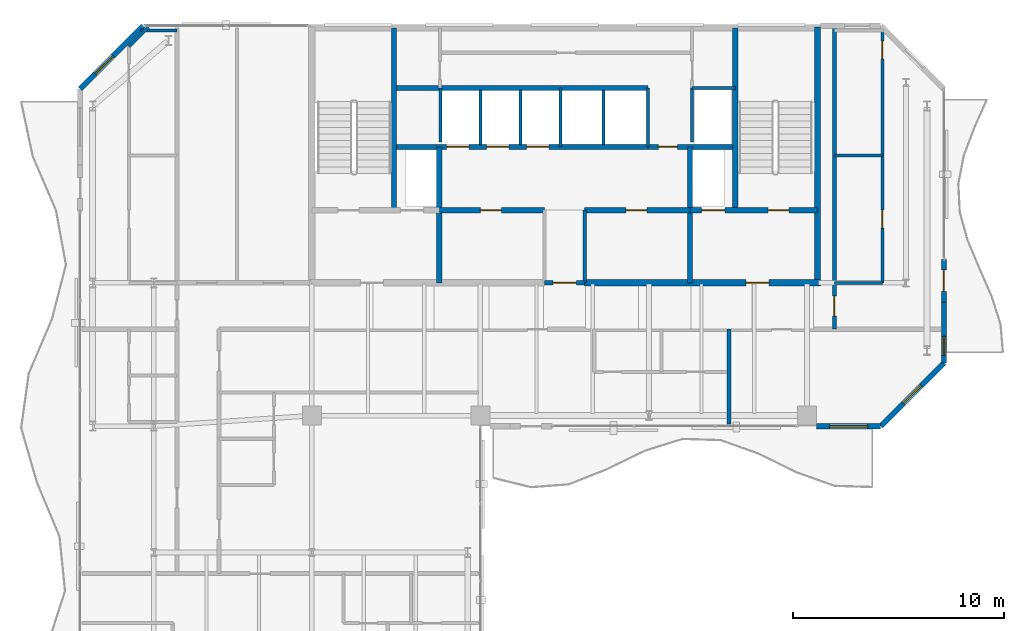
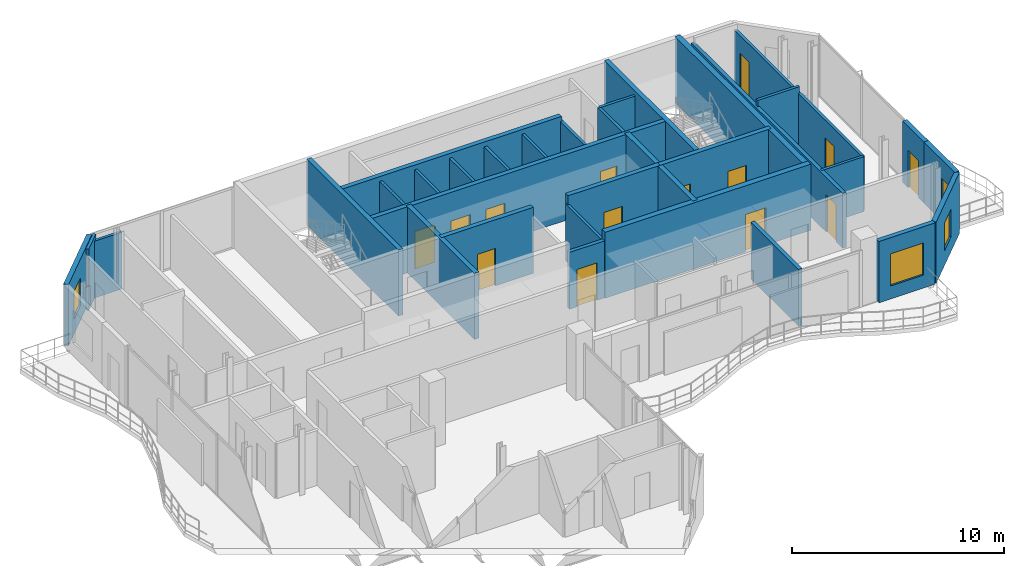
# One storey, part 19 of 23: 33 walls, 14 doors, 4 windows, 18 openings.
"""IFC4 building model written with IfcOpenShell, lengths in metres."""

from ifc_helpers import new_model, si_unit, direction, frame, frame_2d, origin, place, context, subcontext, project, spatial, rectangle, extrude, material, layer, layer_set, type_object, element, fill, save


model = new_model("IFC4")

# Units and contexts
model_context = context("Model", 3, precision=1e-05, world=origin(), true_north=direction((0.0, 1.0)))
body_context = subcontext(model_context, "Body", "Model", "MODEL_VIEW")
ifc_project = project(units=[si_unit("LENGTHUNIT", "METRE"), si_unit("AREAUNIT", "SQUARE_METRE"), si_unit("VOLUMEUNIT", "CUBIC_METRE"), si_unit("PLANEANGLEUNIT", "RADIAN"), si_unit("MASSUNIT", "GRAM", prefix="KILO")], contexts=[model_context])

# Site, building, storey
site_placement = place(None, origin())
site = spatial("IfcSite", under=ifc_project, at=site_placement, CompositionType="ELEMENT")
building_placement = place(site_placement, origin())
building = spatial("IfcBuilding", under=site, at=building_placement, Name="Catumbela Crestline Tower", CompositionType="ELEMENT")
storey_placement = place(building_placement, frame((0.0, 0.0, 241.2)))
storey = spatial("IfcBuildingStorey", under=building, at=storey_placement, Name="L62", CompositionType="ELEMENT", Elevation=241.2)

# Walls
ifc_material_1 = material(Name="Concrete C50/60", Category="concrete")
ifc_layer_1 = layer(ifc_material_1, 0.25, Name="Concrete C50/60")
ifc_layer_set_1 = layer_set([ifc_layer_1], Name="Concrete C50/60")
wall_type_1 = type_object("IfcWallType", Name="CW-250D", PredefinedType="SHEAR", material=ifc_layer_set_1)
for number, where, z_axis, x_axis, name in (
    (1, (19.9, 34.25, 0.0), (0.0, 0.0, 1.0), (0.0, 1.0, 0.0), "L62 Structural Core Shear Wall WWEB"),
    (2, (36.1, 34.25, 0.0), (0.0, 0.0, 1.0), (0.0, 1.0, 0.0), "L62 Structural Core Shear Wall EWEB"),
):
    element("IfcWall", number, at=place(storey_placement, frame(where, z_axis=z_axis, x_axis=x_axis)), inside=storey, type_object=wall_type_1, Name=name, PredefinedType="SHEAR", context=body_context, shape_type="SweptSolid", body=[
        extrude(rectangle(XDim=8.65, YDim=0.25, at=frame_2d((4.325, 0.0))), origin(), (0.0, 0.0, 1.0), 3.8),
    ])
for number, where, z_axis, x_axis, name in (
    (3, (22.05, 30.8, 0.0), (0.0, 0.0, 1.0), (0.0, 1.0, 0.0), "L62 Structural Core Shear Wall FFW"),
    (4, (33.95, 30.8, 0.0), (0.0, 0.0, 1.0), (0.0, 1.0, 0.0), "L62 Structural Core Shear Wall FFE"),
):
    element("IfcWall", number, at=place(storey_placement, frame(where, z_axis=z_axis, x_axis=x_axis)), inside=storey, type_object=wall_type_1, Name=name, PredefinedType="SHEAR", context=body_context, shape_type="SweptSolid", body=[
        extrude(rectangle(XDim=6.45, YDim=0.25, at=frame_2d((3.225, 0.0))), origin(), (0.0, 0.0, 1.0), 3.8),
    ])

# Wall, openings, doors
wall_1_placement = place(storey_placement, frame((33.95, 34.25, 0.0), z_axis=(0.0, 0.0, 1.0), x_axis=(1.0, 0.0, 0.0)))
wall_1 = element("IfcWall", 5, at=wall_1_placement, inside=storey, type_object=wall_type_1, Name="L62 Structural Core Shear Wall ST2S", PredefinedType="SHEAR", context=body_context, shape_type="SweptSolid", body=[
    extrude(rectangle(XDim=6.05, YDim=0.25, at=frame_2d((3.025, 0.0))), origin(), (0.0, 0.0, 1.0), 3.8),
])
opening_1_placement = place(wall_1_placement, frame((3.7, 0.0, 0.0)))
opening_1 = element("IfcOpeningElement", 6, at=opening_1_placement, cuts=wall_1, Name="Opening DF9-100", PredefinedType="OPENING", context=body_context, shape_type="SweptSolid", body=[
    extrude(rectangle(XDim=1.0, YDim=2.15, at=frame_2d((0.5, 1.075))), frame((0.0, 0.135, 0.0), z_axis=(0.0, -1.0, 0.0), x_axis=(1.0, 0.0, 0.0)), (0.0, 0.0, 1.0), 0.27),
])
opening_2_placement = place(wall_1_placement, frame((0.55, 0.0, 0.0)))
opening_2 = element("IfcOpeningElement", 7, at=opening_2_placement, cuts=wall_1, Name="Opening LD-110", PredefinedType="OPENING", context=body_context, shape_type="SweptSolid", body=[
    extrude(rectangle(XDim=1.1, YDim=2.15, at=frame_2d((0.55, 1.075))), frame((0.0, 0.135, 0.0), z_axis=(0.0, -1.0, 0.0), x_axis=(1.0, 0.0, 0.0)), (0.0, 0.0, 1.0), 0.27),
])
ifc_material_2 = material(Name="Stainless steel EN 1.4401", Category="steel")
door_type_1 = type_object("IfcDoorType", Name="DF9-100", OperationType="NOTDEFINED", PredefinedType="DOOR", material=ifc_material_2)
door_1_placement = place(opening_1_placement, origin())
door_1 = element("IfcDoor", 8, at=door_1_placement, inside=storey, type_object=door_type_1, Name="L62 Interior Door DR-L62-ST02", OperationType="SINGLE_SWING_RIGHT", OverallHeight=2.15, OverallWidth=1.0, PredefinedType="DOOR", context=body_context, shape_type="SweptSolid", body=[
    extrude(rectangle(XDim=1.0, YDim=2.15, at=frame_2d((0.5, 1.075))), frame((0.0, 0.025, 0.0), z_axis=(0.0, -1.0, 0.0), x_axis=(1.0, 0.0, 0.0)), (0.0, 0.0, 1.0), 0.05),
])
fill(opening_1, door_1)
door_type_2 = type_object("IfcDoorType", Name="LD-110", OperationType="NOTDEFINED", PredefinedType="DOOR", material=ifc_material_2)
door_2_placement = place(opening_2_placement, origin())
door_2 = element("IfcDoor", 9, at=door_2_placement, inside=storey, type_object=door_type_2, Name="L62 Lift Landing Sliding Door FL-02", OperationType="DOUBLE_DOOR_SLIDING", OverallHeight=2.15, OverallWidth=1.1, PredefinedType="DOOR", context=body_context, shape_type="SweptSolid", body=[
    extrude(rectangle(XDim=1.1, YDim=2.15, at=frame_2d((0.55, 1.075))), frame((0.0, 0.025, 0.0), z_axis=(0.0, -1.0, 0.0), x_axis=(1.0, 0.0, 0.0)), (0.0, 0.0, 1.0), 0.05),
])
fill(opening_2, door_2)

# Wall, opening, door
wall_2_placement = place(storey_placement, frame((22.05, 34.25, 0.0), z_axis=(0.0, 0.0, 1.0), x_axis=(1.0, 0.0, 0.0)))
wall_2 = element("IfcWall", 10, at=wall_2_placement, inside=storey, type_object=wall_type_1, Name="L62 Structural Core Shear Wall LIFTS-W", PredefinedType="SHEAR", context=body_context, shape_type="SweptSolid", body=[
    extrude(rectangle(XDim=5.0, YDim=0.25, at=frame_2d((2.5, 0.0))), origin(), (0.0, 0.0, 1.0), 3.8),
])
opening_3_placement = place(wall_2_placement, frame((1.95, 0.0, 0.0)))
opening_3 = element("IfcOpeningElement", 11, at=opening_3_placement, cuts=wall_2, Name="Opening DF9-100", PredefinedType="OPENING", context=body_context, shape_type="SweptSolid", body=[
    extrude(rectangle(XDim=1.0, YDim=2.15, at=frame_2d((0.5, 1.075))), frame((0.0, 0.135, 0.0), z_axis=(0.0, -1.0, 0.0), x_axis=(1.0, 0.0, 0.0)), (0.0, 0.0, 1.0), 0.27),
])
door_3_placement = place(opening_3_placement, origin())
door_3 = element("IfcDoor", 12, at=door_3_placement, inside=storey, type_object=door_type_1, Name="L62 Interior Door DR-L62-RECL1", OperationType="SINGLE_SWING_LEFT", OverallHeight=2.15, OverallWidth=1.0, PredefinedType="DOOR", context=body_context, shape_type="SweptSolid", body=[
    extrude(rectangle(XDim=1.0, YDim=2.15, at=frame_2d((0.5, 1.075))), frame((0.0, 0.025, 0.0), z_axis=(0.0, -1.0, 0.0), x_axis=(1.0, 0.0, 0.0)), (0.0, 0.0, 1.0), 0.05),
])
fill(opening_3, door_3)

wall_3_placement = place(storey_placement, frame((28.95, 34.25, 0.0), z_axis=(0.0, 0.0, 1.0), x_axis=(1.0, 0.0, 0.0)))
wall_3 = element("IfcWall", 13, at=wall_3_placement, inside=storey, type_object=wall_type_1, Name="L62 Structural Core Shear Wall LIFTS-E", PredefinedType="SHEAR", context=body_context, shape_type="SweptSolid", body=[
    extrude(rectangle(XDim=5.0, YDim=0.25, at=frame_2d((2.5, 0.0))), origin(), (0.0, 0.0, 1.0), 3.8),
])
opening_4_placement = place(wall_3_placement, frame((1.95, 0.0, 0.0)))
opening_4 = element("IfcOpeningElement", 14, at=opening_4_placement, cuts=wall_3, Name="Opening DF9-100", PredefinedType="OPENING", context=body_context, shape_type="SweptSolid", body=[
    extrude(rectangle(XDim=1.0, YDim=2.15, at=frame_2d((0.5, 1.075))), frame((0.0, 0.135, 0.0), z_axis=(0.0, -1.0, 0.0), x_axis=(1.0, 0.0, 0.0)), (0.0, 0.0, 1.0), 0.27),
])
door_4_placement = place(opening_4_placement, origin())
door_4 = element("IfcDoor", 15, at=door_4_placement, inside=storey, type_object=door_type_1, Name="L62 Interior Door DR-L62-RECL2", OperationType="SINGLE_SWING_RIGHT", OverallHeight=2.15, OverallWidth=1.0, PredefinedType="DOOR", context=body_context, shape_type="SweptSolid", body=[
    extrude(rectangle(XDim=1.0, YDim=2.15, at=frame_2d((0.5, 1.075))), frame((0.0, 0.025, 0.0), z_axis=(0.0, -1.0, 0.0), x_axis=(1.0, 0.0, 0.0)), (0.0, 0.0, 1.0), 0.05),
])
fill(opening_4, door_4)

# Wall, openings, doors
wall_4_placement = place(storey_placement, frame((19.9, 37.25, 0.0), z_axis=(0.0, 0.0, 1.0), x_axis=(1.0, 0.0, 0.0)))
wall_4 = element("IfcWall", 16, at=wall_4_placement, inside=storey, type_object=wall_type_1, Name="L62 Structural Core Shear Wall LIFTN", PredefinedType="SHEAR", context=body_context, shape_type="SweptSolid", body=[
    extrude(rectangle(XDim=16.2, YDim=0.25, at=frame_2d((8.1, 0.0))), origin(), (0.0, 0.0, 1.0), 3.8),
])
opening_5_placement = place(wall_4_placement, frame((12.55, 0.0, 0.0)))
opening_5 = element("IfcOpeningElement", 17, at=opening_5_placement, cuts=wall_4, Name="Opening DF9-090", PredefinedType="OPENING", context=body_context, shape_type="SweptSolid", body=[
    extrude(rectangle(XDim=0.9, YDim=2.15, at=frame_2d((0.45, 1.075))), frame((0.0, 0.135, 0.0), z_axis=(0.0, -1.0, 0.0), x_axis=(1.0, 0.0, 0.0)), (0.0, 0.0, 1.0), 0.27),
])
opening_6_placement = place(wall_4_placement, frame((2.5, 0.0, 0.0)))
opening_6 = element("IfcOpeningElement", 18, at=opening_6_placement, cuts=wall_4, Name="Opening LD-105", PredefinedType="OPENING", context=body_context, shape_type="SweptSolid", body=[
    extrude(rectangle(XDim=1.05, YDim=2.15, at=frame_2d((0.525, 1.075))), frame((0.0, 0.135, 0.0), z_axis=(0.0, -1.0, 0.0), x_axis=(1.0, 0.0, 0.0)), (0.0, 0.0, 1.0), 0.27),
])
opening_7_placement = place(wall_4_placement, frame((4.4, 0.0, 0.0)))
opening_7 = element("IfcOpeningElement", 19, at=opening_7_placement, cuts=wall_4, Name="Opening LD-105", PredefinedType="OPENING", context=body_context, shape_type="SweptSolid", body=[
    extrude(rectangle(XDim=1.05, YDim=2.15, at=frame_2d((0.525, 1.075))), frame((0.0, 0.135, 0.0), z_axis=(0.0, -1.0, 0.0), x_axis=(1.0, 0.0, 0.0)), (0.0, 0.0, 1.0), 0.27),
])
opening_8_placement = place(wall_4_placement, frame((6.3, 0.0, 0.0)))
opening_8 = element("IfcOpeningElement", 20, at=opening_8_placement, cuts=wall_4, Name="Opening LD-105", PredefinedType="OPENING", context=body_context, shape_type="SweptSolid", body=[
    extrude(rectangle(XDim=1.05, YDim=2.15, at=frame_2d((0.525, 1.075))), frame((0.0, 0.135, 0.0), z_axis=(0.0, -1.0, 0.0), x_axis=(1.0, 0.0, 0.0)), (0.0, 0.0, 1.0), 0.27),
])
door_type_3 = type_object("IfcDoorType", Name="DF9-090", OperationType="NOTDEFINED", PredefinedType="DOOR", material=ifc_material_2)
door_5_placement = place(opening_5_placement, origin())
door_5 = element("IfcDoor", 21, at=door_5_placement, inside=storey, type_object=door_type_3, Name="L62 Interior Door DR-L62-CPAS1", OperationType="SINGLE_SWING_LEFT", OverallHeight=2.15, OverallWidth=0.9, PredefinedType="DOOR", context=body_context, shape_type="SweptSolid", body=[
    extrude(rectangle(XDim=0.9, YDim=2.15, at=frame_2d((0.45, 1.075))), frame((0.0, 0.025, 0.0), z_axis=(0.0, -1.0, 0.0), x_axis=(1.0, 0.0, 0.0)), (0.0, 0.0, 1.0), 0.05),
])
fill(opening_5, door_5)
door_type_4 = type_object("IfcDoorType", Name="LD-105", OperationType="NOTDEFINED", PredefinedType="DOOR", material=ifc_material_2)
door_6_placement = place(opening_6_placement, origin())
door_6 = element("IfcDoor", 22, at=door_6_placement, inside=storey, type_object=door_type_4, Name="L62 Lift Landing Sliding Door PL-H1", OperationType="DOUBLE_DOOR_SLIDING", OverallHeight=2.15, OverallWidth=1.05, PredefinedType="DOOR", context=body_context, shape_type="SweptSolid", body=[
    extrude(rectangle(XDim=1.05, YDim=2.15, at=frame_2d((0.525, 1.075))), frame((0.0, 0.025, 0.0), z_axis=(0.0, -1.0, 0.0), x_axis=(1.0, 0.0, 0.0)), (0.0, 0.0, 1.0), 0.05),
])
fill(opening_6, door_6)
door_7_placement = place(opening_7_placement, origin())
door_7 = element("IfcDoor", 23, at=door_7_placement, inside=storey, type_object=door_type_4, Name="L62 Lift Landing Sliding Door PL-H2", OperationType="DOUBLE_DOOR_SLIDING", OverallHeight=2.15, OverallWidth=1.05, PredefinedType="DOOR", context=body_context, shape_type="SweptSolid", body=[
    extrude(rectangle(XDim=1.05, YDim=2.15, at=frame_2d((0.525, 1.075))), frame((0.0, 0.025, 0.0), z_axis=(0.0, -1.0, 0.0), x_axis=(1.0, 0.0, 0.0)), (0.0, 0.0, 1.0), 0.05),
])
fill(opening_7, door_7)
door_8_placement = place(opening_8_placement, origin())
door_8 = element("IfcDoor", 24, at=door_8_placement, inside=storey, type_object=door_type_4, Name="L62 Lift Landing Sliding Door PL-H3", OperationType="DOUBLE_DOOR_SLIDING", OverallHeight=2.15, OverallWidth=1.05, PredefinedType="DOOR", context=body_context, shape_type="SweptSolid", body=[
    extrude(rectangle(XDim=1.05, YDim=2.15, at=frame_2d((0.525, 1.075))), frame((0.0, 0.025, 0.0), z_axis=(0.0, -1.0, 0.0), x_axis=(1.0, 0.0, 0.0)), (0.0, 0.0, 1.0), 0.05),
])
fill(opening_8, door_8)

# Walls
wall_5_placement = place(storey_placement, frame((19.9, 40.05, 0.0), z_axis=(0.0, 0.0, 1.0), x_axis=(1.0, 0.0, 0.0)))
element("IfcWall", 25, at=wall_5_placement, inside=storey, type_object=wall_type_1, Name="L62 Structural Core Shear Wall COREN", PredefinedType="SHEAR", context=body_context, shape_type="SweptSolid", body=[
    extrude(rectangle(XDim=12.05, YDim=0.25, at=frame_2d((6.025, 0.0))), origin(), (0.0, 0.0, 1.0), 3.8),
])
ifc_material_3 = material(Name="Concrete C45/55", Category="concrete")
ifc_layer_2 = layer(ifc_material_3, 0.3, Name="Concrete C45/55")
ifc_layer_set_2 = layer_set([ifc_layer_2], Name="Concrete C45/55")
wall_type_2 = type_object("IfcWallType", Name="CW-300C", PredefinedType="SHEAR", material=ifc_layer_set_2)
wall_6_placement = place(storey_placement, frame((40.0, 30.65, 0.0), z_axis=(0.0, 0.0, 1.0), x_axis=(0.0, 1.0, 0.0)))
element("IfcWall", 26, at=wall_6_placement, inside=storey, type_object=wall_type_2, Name="L62 Structural Core Shear Wall E", PredefinedType="SHEAR", context=body_context, shape_type="SweptSolid", body=[
    extrude(rectangle(XDim=12.3, YDim=0.3, at=frame_2d((6.15, 0.0))), origin(), (0.0, 0.0, 1.0), 3.8),
])

# Wall, opening, door
wall_7_placement = place(storey_placement, frame((28.95, 30.8, 0.0), z_axis=(0.0, 0.0, 1.0), x_axis=(1.0, 0.0, 0.0)))
wall_7 = element("IfcWall", 27, at=wall_7_placement, inside=storey, type_object=wall_type_2, Name="L62 Structural Core Shear Wall SE", PredefinedType="SHEAR", context=body_context, shape_type="SweptSolid", body=[
    extrude(rectangle(XDim=11.2, YDim=0.3, at=frame_2d((5.6, 0.0))), origin(), (0.0, 0.0, 1.0), 3.8),
])
opening_9_placement = place(wall_7_placement, frame((7.65, 0.0, 0.0)))
opening_9 = element("IfcOpeningElement", 28, at=opening_9_placement, cuts=wall_7, Name="Opening DF9-110", PredefinedType="OPENING", context=body_context, shape_type="SweptSolid", body=[
    extrude(rectangle(XDim=1.1, YDim=2.15, at=frame_2d((0.55, 1.075))), frame((0.0, 0.16, 0.0), z_axis=(0.0, -1.0, 0.0), x_axis=(1.0, 0.0, 0.0)), (0.0, 0.0, 1.0), 0.32),
])
door_type_5 = type_object("IfcDoorType", Name="DF9-110", OperationType="NOTDEFINED", PredefinedType="DOOR", material=ifc_material_2)
door_9_placement = place(opening_9_placement, origin())
door_9 = element("IfcDoor", 29, at=door_9_placement, inside=storey, type_object=door_type_5, Name="L62 Interior Door DR-L62-FFE-S", OperationType="SINGLE_SWING_RIGHT", OverallHeight=2.15, OverallWidth=1.1, PredefinedType="DOOR", context=body_context, shape_type="SweptSolid", body=[
    extrude(rectangle(XDim=1.1, YDim=2.15, at=frame_2d((0.55, 1.075))), frame((0.0, 0.025, 0.0), z_axis=(0.0, -1.0, 0.0), x_axis=(1.0, 0.0, 0.0)), (0.0, 0.0, 1.0), 0.05),
])
fill(opening_9, door_9)

ifc_material_4 = material(Name="Acoustic gypsum and mineral-wool partition")
ifc_layer_3 = layer(ifc_material_4, 0.2, Name="Acoustic gypsum and mineral-wool partition")
ifc_layer_set_3 = layer_set([ifc_layer_3], Name="Acoustic gypsum and mineral-wool partition")
wall_type_3 = type_object("IfcWallType", Name="WC-200", PredefinedType="PARTITIONING", material=ifc_layer_set_3)
wall_8_placement = place(storey_placement, frame((27.05, 30.8, 0.0), z_axis=(0.0, 0.0, 1.0), x_axis=(1.0, 0.0, 0.0)))
wall_8 = element("IfcWall", 30, at=wall_8_placement, inside=storey, type_object=wall_type_3, Name="L62 Interior Partition PW-L62-CLOBS", PredefinedType="PARTITIONING", context=body_context, shape_type="SweptSolid", body=[
    extrude(rectangle(XDim=1.9, YDim=0.2, at=frame_2d((0.95, 0.0))), origin(), (0.0, 0.0, 1.0), 3.28),
])
opening_10_placement = place(wall_8_placement, frame((0.4, 0.0, 0.0)))
opening_10 = element("IfcOpeningElement", 31, at=opening_10_placement, cuts=wall_8, Name="Opening DF9-110", PredefinedType="OPENING", context=body_context, shape_type="SweptSolid", body=[
    extrude(rectangle(XDim=1.1, YDim=2.15, at=frame_2d((0.55, 1.075))), frame((0.0, 0.11, 0.0), z_axis=(0.0, -1.0, 0.0), x_axis=(1.0, 0.0, 0.0)), (0.0, 0.0, 1.0), 0.22),
])
door_10_placement = place(opening_10_placement, origin())
door_10 = element("IfcDoor", 32, at=door_10_placement, inside=storey, type_object=door_type_5, Name="L62 Interior Door DR-L62-CLOBS", OperationType="SINGLE_SWING_LEFT", OverallHeight=2.15, OverallWidth=1.1, PredefinedType="DOOR", context=body_context, shape_type="SweptSolid", body=[
    extrude(rectangle(XDim=1.1, YDim=2.15, at=frame_2d((0.55, 1.075))), frame((0.0, 0.025, 0.0), z_axis=(0.0, -1.0, 0.0), x_axis=(1.0, 0.0, 0.0)), (0.0, 0.0, 1.0), 0.05),
])
fill(opening_10, door_10)

wall_9_placement = place(storey_placement, frame((40.8, 28.6, 0.0), z_axis=(0.0, 0.0, 1.0), x_axis=(0.0, 1.0, 0.0)))
wall_9 = element("IfcWall", 33, at=wall_9_placement, inside=storey, type_object=wall_type_3, Name="L62 Interior Partition PW-L62-NE1-ENT", PredefinedType="PARTITIONING", context=body_context, shape_type="SweptSolid", body=[
    extrude(rectangle(XDim=14.3, YDim=0.2, at=frame_2d((7.15, 0.0))), origin(), (0.0, 0.0, 1.0), 3.16),
])
opening_11_placement = place(wall_9_placement, frame((0.625, 0.0, 0.0)))
opening_11 = element("IfcOpeningElement", 34, at=opening_11_placement, cuts=wall_9, Name="Opening DF6-095", PredefinedType="OPENING", context=body_context, shape_type="SweptSolid", body=[
    extrude(rectangle(XDim=0.95, YDim=2.15, at=frame_2d((0.475, 1.075))), frame((0.0, 0.11, 0.0), z_axis=(0.0, -1.0, 0.0), x_axis=(1.0, 0.0, 0.0)), (0.0, 0.0, 1.0), 0.22),
])
ifc_material_5 = material(Name="Aluminium alloy AW-6060-T66", Category="aluminium")
door_type_6 = type_object("IfcDoorType", Name="DF6-095", OperationType="NOTDEFINED", PredefinedType="DOOR", material=ifc_material_5)
door_11_placement = place(opening_11_placement, origin())
door_11 = element("IfcDoor", 35, at=door_11_placement, inside=storey, type_object=door_type_6, Name="L62 Interior Door DR-L62-NE1-ENT", OperationType="SINGLE_SWING_LEFT", OverallHeight=2.15, OverallWidth=0.95, PredefinedType="DOOR", context=body_context, shape_type="SweptSolid", body=[
    extrude(rectangle(XDim=0.95, YDim=2.15, at=frame_2d((0.475, 1.075))), frame((0.0, 0.025, 0.0), z_axis=(0.0, -1.0, 0.0), x_axis=(1.0, 0.0, 0.0)), (0.0, 0.0, 1.0), 0.05),
])
fill(opening_11, door_11)

# Wall, opening, window
ifc_material_6 = material(Name="Angolan grey-ochre granite", Category="masonry")
ifc_layer_4 = layer(ifc_material_6, 0.25, Name="Angolan grey-ochre granite")
ifc_layer_set_4 = layer_set([ifc_layer_4], Name="Angolan grey-ochre granite")
wall_type_4 = type_object("IfcWallType", Name="WE-250", PredefinedType="STANDARD", material=ifc_layer_set_4)
wall_10_placement = place(storey_placement, frame((39.95, 24.0, 0.0), z_axis=(0.0, 0.0, 1.0), x_axis=(1.0, 0.0, 0.0)))
wall_10 = element("IfcWall", 36, at=wall_10_placement, inside=storey, type_object=wall_type_4, Name="L62 Granite Punched Window Wall 3-3", PredefinedType="STANDARD", context=body_context, shape_type="SweptSolid", body=[
    extrude(rectangle(XDim=3.05, YDim=0.25, at=frame_2d((1.525, 0.0))), origin(), (0.0, 0.0, 1.0), 3.53),
])
opening_12_placement = place(wall_10_placement, frame((0.625, 0.0, 0.75)))
opening_12 = element("IfcOpeningElement", 37, at=opening_12_placement, cuts=wall_10, Name="Opening WN-01", PredefinedType="OPENING", context=body_context, shape_type="SweptSolid", body=[
    extrude(rectangle(XDim=1.8, YDim=1.85, at=frame_2d((0.9, 0.925))), frame((0.0, 0.135, 0.0), z_axis=(0.0, -1.0, 0.0), x_axis=(1.0, 0.0, 0.0)), (0.0, 0.0, 1.0), 0.27),
])
ifc_material_7 = material(Name="Low-E laminated solar-control double glazing", Category="glass")
window_type_1 = type_object("IfcWindowType", Name="WF-1800", PartitioningType="SINGLE_PANEL", PredefinedType="WINDOW", material=ifc_material_7)
window_1_placement = place(opening_12_placement, origin())
window_1 = element("IfcWindow", 38, at=window_1_placement, inside=storey, type_object=window_type_1, Name="L62 Facade Vision Window 457", OverallHeight=1.85, OverallWidth=1.8, PartitioningType="SINGLE_PANEL", PredefinedType="WINDOW", context=body_context, shape_type="SweptSolid", body=[
    extrude(rectangle(XDim=1.8, YDim=1.85, at=frame_2d((0.9, 0.925))), frame((0.0, 0.03, 0.0), z_axis=(0.0, -1.0, 0.0), x_axis=(1.0, 0.0, 0.0)), (0.0, 0.0, 1.0), 0.06),
])
fill(opening_12, window_1)

wall_11_placement = place(storey_placement, frame((43.0, 24.0, 0.0), z_axis=(0.0, 0.0, 1.0), x_axis=(0.707106781187, 0.707106781187, 0.0)))
wall_11 = element("IfcWall", 39, at=wall_11_placement, inside=storey, type_object=wall_type_4, Name="L62 Granite Punched Window Wall 4-1", PredefinedType="STANDARD", context=body_context, shape_type="SweptSolid", body=[
    extrude(rectangle(XDim=4.2426, YDim=0.25, at=frame_2d((2.1213, 0.0))), origin(), (0.0, 0.0, 1.0), 3.53),
])
opening_13_placement = place(wall_11_placement, frame((1.5213, 0.0, 0.85)))
opening_13 = element("IfcOpeningElement", 40, at=opening_13_placement, cuts=wall_11, Name="Opening WN-02", PredefinedType="OPENING", context=body_context, shape_type="SweptSolid", body=[
    extrude(rectangle(XDim=1.2, YDim=1.6, at=frame_2d((0.6, 0.8))), frame((0.0, 0.135, 0.0), z_axis=(0.0, -1.0, 0.0), x_axis=(1.0, 0.0, 0.0)), (0.0, 0.0, 1.0), 0.27),
])
window_type_2 = type_object("IfcWindowType", Name="WO-1200", PartitioningType="SINGLE_PANEL", PredefinedType="WINDOW", material=ifc_material_7)
window_2_placement = place(opening_13_placement, origin())
window_2 = element("IfcWindow", 41, at=window_2_placement, inside=storey, type_object=window_type_2, Name="L62 Facade Vision Window 458", OverallHeight=1.6, OverallWidth=1.2, PartitioningType="SINGLE_PANEL", PredefinedType="WINDOW", context=body_context, shape_type="SweptSolid", body=[
    extrude(rectangle(XDim=1.2, YDim=1.6, at=frame_2d((0.6, 0.8))), frame((0.0, 0.03, 0.0), z_axis=(0.0, -1.0, 0.0), x_axis=(1.0, 0.0, 0.0)), (0.0, 0.0, 1.0), 0.06),
])
fill(opening_13, window_2)

# Wall, opening, door
wall_12_placement = place(storey_placement, frame((46.0, 29.9, 0.0), z_axis=(0.0, 0.0, 1.0), x_axis=(0.0, 1.0, 0.0)))
wall_12 = element("IfcWall", 42, at=wall_12_placement, inside=storey, type_object=wall_type_4, Name="L62 Exterior Threshold Portal Wall DR-L62-WBAL-2", PredefinedType="STANDARD", context=body_context, shape_type="SweptSolid", body=[
    extrude(rectangle(XDim=2.0, YDim=0.25, at=frame_2d((1.0, 0.0))), origin(), (0.0, 0.0, 1.0), 3.53),
])
opening_14_placement = place(wall_12_placement, frame((0.5, 0.0, 0.0)))
opening_14 = element("IfcOpeningElement", 43, at=opening_14_placement, cuts=wall_12, Name="Opening DB-L62-2", PredefinedType="OPENING", context=body_context, shape_type="SweptSolid", body=[
    extrude(rectangle(XDim=1.0, YDim=2.15, at=frame_2d((0.5, 1.075))), frame((0.0, 0.135, 0.0), z_axis=(0.0, -1.0, 0.0), x_axis=(1.0, 0.0, 0.0)), (0.0, 0.0, 1.0), 0.27),
])
door_type_7 = type_object("IfcDoorType", Name="DB-1000", OperationType="NOTDEFINED", PredefinedType="DOOR", material=ifc_material_5)
door_12_placement = place(opening_14_placement, origin())
door_12 = element("IfcDoor", 44, at=door_12_placement, inside=storey, type_object=door_type_7, Name="L62 Wave Balcony Terrace Door 2", OperationType="SINGLE_SWING_LEFT", OverallHeight=2.15, OverallWidth=1.0, PredefinedType="DOOR", context=body_context, shape_type="SweptSolid", body=[
    extrude(rectangle(XDim=1.0, YDim=2.15, at=frame_2d((0.5, 1.075))), frame((0.0, 0.025, 0.0), z_axis=(0.0, -1.0, 0.0), x_axis=(1.0, 0.0, 0.0)), (0.0, 0.0, 1.0), 0.05),
])
fill(opening_14, door_12)

# Wall, opening, window
wall_13_placement = place(storey_placement, frame((46.0, 27.0, 0.0), z_axis=(0.0, 0.0, 1.0), x_axis=(0.0, 1.0, 0.0)))
wall_13 = element("IfcWall", 45, at=wall_13_placement, inside=storey, type_object=wall_type_4, Name="L62 Granite Punched Window Wall 5-1", PredefinedType="STANDARD", context=body_context, shape_type="SweptSolid", body=[
    extrude(rectangle(XDim=2.9, YDim=0.25, at=frame_2d((1.45, 0.0))), origin(), (0.0, 0.0, 1.0), 3.53),
])
opening_15_placement = place(wall_13_placement, frame((0.36, 0.0, 0.9)))
opening_15 = element("IfcOpeningElement", 46, at=opening_15_placement, cuts=wall_13, Name="Opening WN-03", PredefinedType="OPENING", context=body_context, shape_type="SweptSolid", body=[
    extrude(rectangle(XDim=0.9, YDim=1.55, at=frame_2d((0.45, 0.775))), frame((0.0, 0.135, 0.0), z_axis=(0.0, -1.0, 0.0), x_axis=(1.0, 0.0, 0.0)), (0.0, 0.0, 1.0), 0.27),
])
window_type_3 = type_object("IfcWindowType", Name="WO-0900", PartitioningType="SINGLE_PANEL", PredefinedType="WINDOW", material=ifc_material_7)
window_3_placement = place(opening_15_placement, origin())
window_3 = element("IfcWindow", 47, at=window_3_placement, inside=storey, type_object=window_type_3, Name="L62 Facade Vision Window 459", OverallHeight=1.55, OverallWidth=0.9, PartitioningType="SINGLE_PANEL", PredefinedType="WINDOW", context=body_context, shape_type="SweptSolid", body=[
    extrude(rectangle(XDim=0.9, YDim=1.55, at=frame_2d((0.45, 0.775))), frame((0.0, 0.03, 0.0), z_axis=(0.0, -1.0, 0.0), x_axis=(1.0, 0.0, 0.0)), (0.0, 0.0, 1.0), 0.06),
])
fill(opening_15, window_3)

wall_14_placement = place(storey_placement, frame((8.0, 43.0, 0.0), z_axis=(0.0, 0.0, 1.0), x_axis=(-0.707106781187, -0.707106781187, 0.0)))
wall_14 = element("IfcWall", 48, at=wall_14_placement, inside=storey, type_object=wall_type_4, Name="L62 Granite Punched Window Wall 8-1", PredefinedType="STANDARD", context=body_context, shape_type="SweptSolid", body=[
    extrude(rectangle(XDim=4.2426, YDim=0.25, at=frame_2d((2.1213, 0.0))), origin(), (0.0, 0.0, 1.0), 3.53),
])
opening_16_placement = place(wall_14_placement, frame((2.0275, 0.0, 0.85)))
opening_16 = element("IfcOpeningElement", 49, at=opening_16_placement, cuts=wall_14, Name="Opening WN-02", PredefinedType="OPENING", context=body_context, shape_type="SweptSolid", body=[
    extrude(rectangle(XDim=1.2, YDim=1.6, at=frame_2d((0.6, 0.8))), frame((0.0, 0.135, 0.0), z_axis=(0.0, -1.0, 0.0), x_axis=(1.0, 0.0, 0.0)), (0.0, 0.0, 1.0), 0.27),
])
window_4_placement = place(opening_16_placement, origin())
window_4 = element("IfcWindow", 50, at=window_4_placement, inside=storey, type_object=window_type_2, Name="L62 Facade Vision Window 462", OverallHeight=1.6, OverallWidth=1.2, PartitioningType="SINGLE_PANEL", PredefinedType="WINDOW", context=body_context, shape_type="SweptSolid", body=[
    extrude(rectangle(XDim=1.2, YDim=1.6, at=frame_2d((0.6, 0.8))), frame((0.0, 0.03, 0.0), z_axis=(0.0, -1.0, 0.0), x_axis=(1.0, 0.0, 0.0)), (0.0, 0.0, 1.0), 0.06),
])
fill(opening_16, window_4)

# Walls
ifc_layer_5 = layer(ifc_material_4, 0.15, Name="Acoustic gypsum and mineral-wool partition")
ifc_layer_set_5 = layer_set([ifc_layer_5], Name="Acoustic gypsum and mineral-wool partition")
wall_type_5 = type_object("IfcWallType", Name="WP-150", PredefinedType="PARTITIONING", material=ifc_layer_set_5)
wall_15_placement = place(storey_placement, frame((34.05, 40.05, 0.0), z_axis=(0.0, 0.0, 1.0), x_axis=(1.0, 0.0, 0.0)))
element("IfcWall", 51, at=wall_15_placement, inside=storey, type_object=wall_type_5, Name="L62 Interior Partition PW-L62-CR-ES", PredefinedType="PARTITIONING", context=body_context, shape_type="SweptSolid", body=[
    extrude(rectangle(XDim=2.05, YDim=0.15, at=frame_2d((1.025, 0.0))), origin(), (0.0, 0.0, 1.0), 3.53),
])
wall_16_placement = place(storey_placement, frame((7.32, 42.0089, 0.0), z_axis=(0.0, 0.0, 1.0), x_axis=(0.707106781187, 0.707106781187, 0.0)))
element("IfcWall", 52, at=wall_16_placement, inside=storey, type_object=wall_type_5, Name="L62 Interior Partition PW-L62-NW1-BTH-BCL-2", PredefinedType="PARTITIONING", context=body_context, shape_type="SweptSolid", body=[
    extrude(rectangle(XDim=1.3016, YDim=0.15, at=frame_2d((0.6508, 0.0))), origin(), (0.0, 0.0, 1.0), 3.53),
])
wall_17_placement = place(storey_placement, frame((7.88, 42.78, 0.0), z_axis=(0.0, 0.0, 1.0), x_axis=(1.0, 0.0, 0.0)))
element("IfcWall", 53, at=wall_17_placement, inside=storey, type_object=wall_type_5, Name="L62 Interior Partition PW-L62-NW1-BTH-BCL-3", PredefinedType="PARTITIONING", context=body_context, shape_type="SweptSolid", body=[
    extrude(rectangle(XDim=1.72, YDim=0.15, at=frame_2d((0.86, 0.0))), origin(), (0.0, 0.0, 1.0), 3.27),
])
wall_18_placement = place(storey_placement, frame((40.8, 30.8, 0.0), z_axis=(0.0, 0.0, 1.0), x_axis=(1.0, 0.0, 0.0)))
element("IfcWall", 54, at=wall_18_placement, inside=storey, type_object=wall_type_5, Name="L62 Interior Partition PW-L62-NE1-KBS", PredefinedType="PARTITIONING", context=body_context, shape_type="SweptSolid", body=[
    extrude(rectangle(XDim=2.28, YDim=0.15, at=frame_2d((1.14, 0.0))), origin(), (0.0, 0.0, 1.0), 3.16),
])
wall_19_placement = place(storey_placement, frame((40.8, 36.85, 0.0), z_axis=(0.0, 0.0, 1.0), x_axis=(1.0, 0.0, 0.0)))
element("IfcWall", 55, at=wall_19_placement, inside=storey, type_object=wall_type_5, Name="L62 Interior Partition PW-L62-NE1-KBM", PredefinedType="PARTITIONING", context=body_context, shape_type="SweptSolid", body=[
    extrude(rectangle(XDim=2.28, YDim=0.15, at=frame_2d((1.14, 0.0))), origin(), (0.0, 0.0, 1.0), 3.53),
])

# Wall, openings, doors
wall_20_placement = place(storey_placement, frame((43.08, 30.8, 0.0), z_axis=(0.0, 0.0, 1.0), x_axis=(0.0, 1.0, 0.0)))
wall_20 = element("IfcWall", 56, at=wall_20_placement, inside=storey, type_object=wall_type_5, Name="L62 Interior Partition PW-L62-NE1-SK1", PredefinedType="PARTITIONING", context=body_context, shape_type="SweptSolid", body=[
    extrude(rectangle(XDim=12.02, YDim=0.15, at=frame_2d((6.01, 0.0))), origin(), (0.0, 0.0, 1.0), 3.16),
])
opening_17_placement = place(wall_20_placement, frame((2.6, 0.0, 0.0)))
opening_17 = element("IfcOpeningElement", 57, at=opening_17_placement, cuts=wall_20, Name="Opening DI-085", PredefinedType="OPENING", context=body_context, shape_type="SweptSolid", body=[
    extrude(rectangle(XDim=0.85, YDim=2.15, at=frame_2d((0.425, 1.075))), frame((0.0, 0.085, 0.0), z_axis=(0.0, -1.0, 0.0), x_axis=(1.0, 0.0, 0.0)), (0.0, 0.0, 1.0), 0.17),
])
opening_18_placement = place(wall_20_placement, frame((10.6287, 0.0, 0.0)))
opening_18 = element("IfcOpeningElement", 58, at=opening_18_placement, cuts=wall_20, Name="Opening DI-085", PredefinedType="OPENING", context=body_context, shape_type="SweptSolid", body=[
    extrude(rectangle(XDim=0.85, YDim=2.15, at=frame_2d((0.425, 1.075))), frame((0.0, 0.085, 0.0), z_axis=(0.0, -1.0, 0.0), x_axis=(1.0, 0.0, 0.0)), (0.0, 0.0, 1.0), 0.17),
])
door_type_8 = type_object("IfcDoorType", Name="DI-085", OperationType="NOTDEFINED", PredefinedType="DOOR", material=ifc_material_5)
door_13_placement = place(opening_17_placement, origin())
door_13 = element("IfcDoor", 59, at=door_13_placement, inside=storey, type_object=door_type_8, Name="L62 Interior Door DR-L62-NE1-KIT", OperationType="SINGLE_SWING_LEFT", OverallHeight=2.15, OverallWidth=0.85, PredefinedType="DOOR", context=body_context, shape_type="SweptSolid", body=[
    extrude(rectangle(XDim=0.85, YDim=2.15, at=frame_2d((0.425, 1.075))), frame((0.0, 0.025, 0.0), z_axis=(0.0, -1.0, 0.0), x_axis=(1.0, 0.0, 0.0)), (0.0, 0.0, 1.0), 0.05),
])
fill(opening_17, door_13)
door_14_placement = place(opening_18_placement, origin())
door_14 = element("IfcDoor", 60, at=door_14_placement, inside=storey, type_object=door_type_8, Name="L62 Interior Door DR-L62-NE1-BTH", OperationType="SINGLE_SWING_RIGHT", OverallHeight=2.15, OverallWidth=0.85, PredefinedType="DOOR", context=body_context, shape_type="SweptSolid", body=[
    extrude(rectangle(XDim=0.85, YDim=2.15, at=frame_2d((0.425, 1.075))), frame((0.0, 0.025, 0.0), z_axis=(0.0, -1.0, 0.0), x_axis=(1.0, 0.0, 0.0)), (0.0, 0.0, 1.0), 0.05),
])
fill(opening_18, door_14)

# Walls
ifc_layer_6 = layer(ifc_material_4, 0.2, Name="Acoustic gypsum and mineral-wool partition")
ifc_layer_set_6 = layer_set([ifc_layer_6], Name="Acoustic gypsum and mineral-wool partition")
wall_type_6 = type_object("IfcWallType", Name="WY-200", PredefinedType="PARTITIONING", material=ifc_layer_set_6)
wall_21_placement = place(storey_placement, frame((35.8, 24.1, 0.0), z_axis=(0.0, 0.0, 1.0), x_axis=(0.0, 1.0, 0.0)))
element("IfcWall", 61, at=wall_21_placement, inside=storey, type_object=wall_type_6, Name="L62 Interior Partition PW-L62-RSPP-2", PredefinedType="PARTITIONING", context=body_context, shape_type="SweptSolid", body=[
    extrude(rectangle(XDim=4.5, YDim=0.2, at=frame_2d((2.25, 0.0))), origin(), (0.0, 0.0, 1.0), 3.27),
])
ifc_layer_7 = layer(ifc_material_4, 0.15, Name="Acoustic gypsum and mineral-wool partition")
ifc_layer_set_7 = layer_set([ifc_layer_7], Name="Acoustic gypsum and mineral-wool partition")
wall_type_7 = type_object("IfcWallType", Name="WS-150", PredefinedType="PLUMBINGWALL", material=ifc_layer_set_7)
wall_22_placement = place(storey_placement, frame((28.95, 30.8, 0.0), z_axis=(0.0, 0.0, 1.0), x_axis=(0.0, 1.0, 0.0)))
element("IfcWall", 62, at=wall_22_placement, inside=storey, type_object=wall_type_7, Name="L62 Interior Partition PW-L62-THRE", PredefinedType="PLUMBINGWALL", context=body_context, shape_type="SweptSolid", body=[
    extrude(rectangle(XDim=3.45, YDim=0.15, at=frame_2d((1.725, 0.0))), origin(), (0.0, 0.0, 1.0), 3.28),
])
wall_23_placement = place(storey_placement, frame((22.1, 37.4897, 0.0), z_axis=(0.0, 0.0, 1.0), x_axis=(0.0, 1.0, 0.0)))
element("IfcWall", 63, at=wall_23_placement, inside=storey, type_object=wall_type_7, Name="L62 Interior Partition PW-L62-SHH0", PredefinedType="PLUMBINGWALL", context=body_context, shape_type="SweptSolid", body=[
    extrude(rectangle(XDim=2.5603, YDim=0.15, at=frame_2d((1.2801, 0.0))), origin(), (0.0, 0.0, 1.0), 3.53),
])
wall_24_placement = place(storey_placement, frame((27.8, 37.25, 0.0), z_axis=(0.0, 0.0, 1.0), x_axis=(0.0, 1.0, 0.0)))
element("IfcWall", 64, at=wall_24_placement, inside=storey, type_object=wall_type_7, Name="L62 Interior Partition PW-L62-SHH3", PredefinedType="PLUMBINGWALL", context=body_context, shape_type="SweptSolid", body=[
    extrude(rectangle(XDim=2.8, YDim=0.15, at=frame_2d((1.4, 0.0))), origin(), (0.0, 0.0, 1.0), 3.53),
])
for number, where, z_axis, x_axis, name in (
    (65, (24.0, 37.35, 0.0), (0.0, 0.0, 1.0), (0.0, 1.0, 0.0), "L62 Interior Partition PW-L62-SHH1"),
    (66, (25.9, 37.35, 0.0), (0.0, 0.0, 1.0), (0.0, 1.0, 0.0), "L62 Interior Partition PW-L62-SHH2"),
):
    element("IfcWall", number, at=place(storey_placement, frame(where, z_axis=z_axis, x_axis=x_axis)), inside=storey, type_object=wall_type_7, Name=name, PredefinedType="PLUMBINGWALL", context=body_context, shape_type="SweptSolid", body=[
        extrude(rectangle(XDim=2.6, YDim=0.15, at=frame_2d((1.3, 0.0))), origin(), (0.0, 0.0, 1.0), 3.53),
    ])
wall_25_placement = place(storey_placement, frame((31.95, 37.25, 0.0), z_axis=(0.0, 0.0, 1.0), x_axis=(0.0, 1.0, 0.0)))
element("IfcWall", 67, at=wall_25_placement, inside=storey, type_object=wall_type_7, Name="L62 Interior Partition PW-L62-SHEX2E", PredefinedType="PLUMBINGWALL", context=body_context, shape_type="SweptSolid", body=[
    extrude(rectangle(XDim=2.8, YDim=0.15, at=frame_2d((1.4, 0.0))), origin(), (0.0, 0.0, 1.0), 3.53),
])
wall_26_placement = place(storey_placement, frame((29.85, 37.35, 0.0), z_axis=(0.0, 0.0, 1.0), x_axis=(0.0, 1.0, 0.0)))
element("IfcWall", 68, at=wall_26_placement, inside=storey, type_object=wall_type_7, Name="L62 Interior Partition PW-L62-SHEX1", PredefinedType="PLUMBINGWALL", context=body_context, shape_type="SweptSolid", body=[
    extrude(rectangle(XDim=2.6, YDim=0.15, at=frame_2d((1.3, 0.0))), origin(), (0.0, 0.0, 1.0), 3.53),
])
wall_27_placement = place(storey_placement, frame((34.05, 37.4734, 0.0), z_axis=(0.0, 0.0, 1.0), x_axis=(0.0, 1.0, 0.0)))
element("IfcWall", 69, at=wall_27_placement, inside=storey, type_object=wall_type_7, Name="L62 Interior Partition PW-L62-RISW", PredefinedType="PLUMBINGWALL", context=body_context, shape_type="SweptSolid", body=[
    extrude(rectangle(XDim=2.5766, YDim=0.15, at=frame_2d((1.2883, 0.0))), origin(), (0.0, 0.0, 1.0), 3.53),
])

save(model, "model.ifc")
